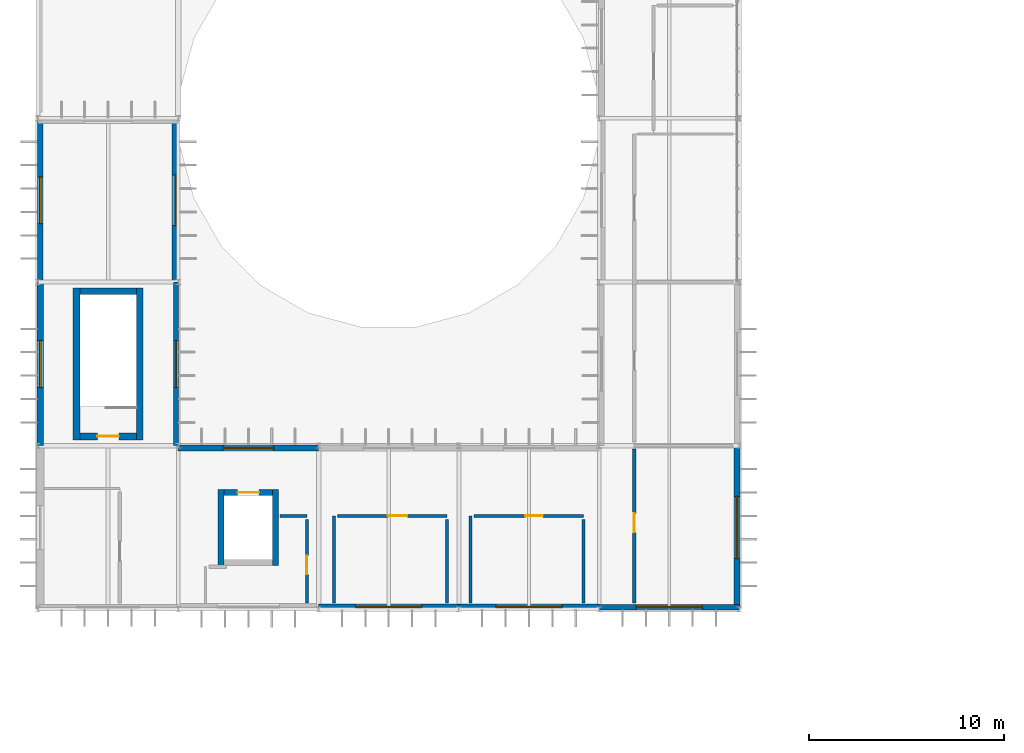
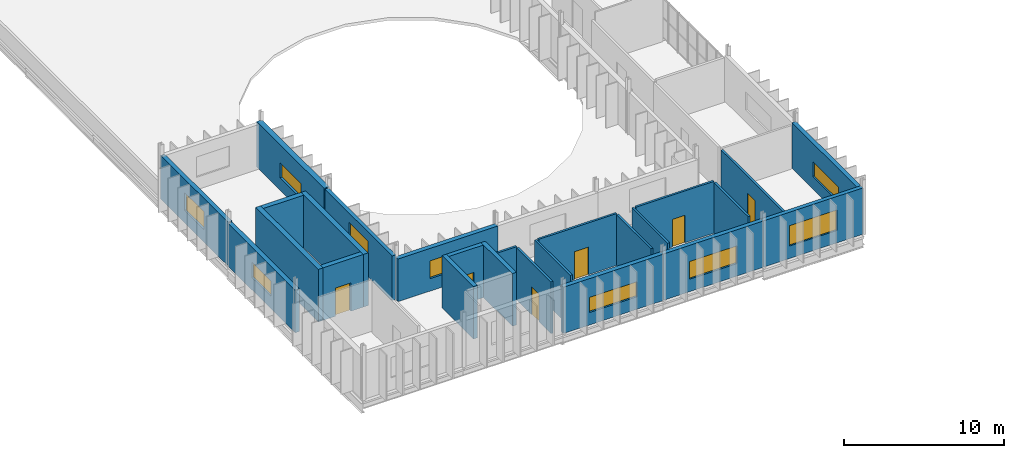
# One storey, part 15 of 18: 25 walls, 9 windows, 6 doors, 15 openings.
"""IFC4 building model written with IfcOpenShell, lengths in metres."""

from ifc_helpers import new_model, si_unit, direction, frame, frame_2d, origin, place, context, subcontext, project, spatial, rectangle, extrude, material, layer, layer_set, type_object, element, fill, save


model = new_model("IFC4")

# Units and contexts
model_context = context("Model", 3, precision=1e-05, world=origin(), true_north=direction((0.0, 1.0)))
body_context = subcontext(model_context, "Body", "Model", "MODEL_VIEW")
ifc_project = project(units=[si_unit("LENGTHUNIT", "METRE"), si_unit("AREAUNIT", "SQUARE_METRE"), si_unit("VOLUMEUNIT", "CUBIC_METRE"), si_unit("PLANEANGLEUNIT", "RADIAN"), si_unit("MASSUNIT", "GRAM", prefix="KILO")], contexts=[model_context])

# Site, building, storey
site_placement = place(None, origin())
site = spatial("IfcSite", under=ifc_project, at=site_placement, CompositionType="ELEMENT")
building_placement = place(site_placement, origin())
building = spatial("IfcBuilding", under=site, at=building_placement, Name="Qelthora Terrace Specialist Clinic", CompositionType="ELEMENT")
storey_placement = place(building_placement, frame((0.0, 0.0, 21.60009765625)))
storey = spatial("IfcBuildingStorey", under=building, at=storey_placement, Name="L05", CompositionType="ELEMENT", Elevation=21.60009765625)

# Walls
ifc_material_1 = material(Name="Concrete C40/50", Category="concrete")
ifc_layer_1 = layer(ifc_material_1, 0.300048828125)
ifc_layer_set_1 = layer_set([ifc_layer_1], Name="Concrete C40/50")
wall_type_1 = type_object("IfcWallType", Name="WAL-CORE-300-C40", PredefinedType="SHEAR", material=ifc_layer_set_1)
for number, where, z_axis, x_axis, name in (
    (1, (16.60009765625, 61.050048828125, 0.0), (0.0, 0.0, 1.0), (0.0, 1.0, 0.0), "Lift SL-01 L05 west shaft wall"),
    (2, (19.39990234375, 61.050048828125, 0.0), (0.0, 0.0, 1.0), (0.0, 1.0, 0.0), "Lift SL-01 L05 east shaft wall"),
):
    element("IfcWall", number, at=place(storey_placement, frame(where, z_axis=z_axis, x_axis=x_axis)), inside=storey, type_object=wall_type_1, Name=name, PredefinedType="SHEAR", context=body_context, shape_type="SweptSolid", body=[
        extrude(rectangle(XDim=3.89990234375, YDim=0.300048828125, at=frame_2d((1.949951171875, 0.0))), origin(), (0.0, 0.0, 1.0), 4.0),
    ])

# Wall, opening, door
wall_1_placement = place(storey_placement, frame((16.75, 64.800048828125, 0.0), z_axis=(0.0, 0.0, 1.0), x_axis=(1.0, 0.0, 0.0)))
wall_1 = element("IfcWall", 3, at=wall_1_placement, inside=storey, type_object=wall_type_1, Name="Lift SL-01 L05 north shaft wall", PredefinedType="SHEAR", context=body_context, shape_type="SweptSolid", body=[
    extrude(rectangle(XDim=2.5, YDim=0.300048828125, at=frame_2d((1.25, 0.0))), origin(), (0.0, 0.0, 1.0), 4.0),
])
opening_1_placement = place(wall_1_placement, frame((0.699951171875, 0.0, 0.0)))
opening_1 = element("IfcOpeningElement", 4, at=opening_1_placement, cuts=wall_1, Name="Opening LD-SL-01-L05", PredefinedType="OPENING", context=body_context, shape_type="SweptSolid", body=[
    extrude(rectangle(XDim=1.10009765625, YDim=2.14990234375, at=frame_2d((0.550048828125, 1.074951171875))), frame((0.0, 0.159912109375, 0.0), z_axis=(0.0, -1.0, 0.0), x_axis=(1.0, 0.0, 0.0)), (0.0, 0.0, 1.0), 0.320068359375),
])
ifc_material_2 = material(Name="Steel S355", Category="steel")
door_type_1 = type_object("IfcDoorType", Name="DOR-LIFT-1100X2150", OperationType="NOTDEFINED", PredefinedType="DOOR", material=ifc_material_2)
door_1_placement = place(opening_1_placement, origin())
door_1 = element("IfcDoor", 5, at=door_1_placement, inside=storey, type_object=door_type_1, Name="Lift landing sliding door LD-SL-01-L05", OperationType="DOUBLE_DOOR_SLIDING", OverallHeight=2.14990234375, OverallWidth=1.10009765625, PredefinedType="DOOR", context=body_context, shape_type="SweptSolid", body=[
    extrude(rectangle(XDim=1.10009765625, YDim=2.14990234375, at=frame_2d((0.550048828125, 1.074951171875))), frame((0.0, 0.02490234375, 0.0), z_axis=(0.0, -1.0, 0.0), x_axis=(1.0, 0.0, 0.0)), (0.0, 0.0, 1.0), 0.050048828125),
])
fill(opening_1, door_1)

# Walls
ifc_layer_2 = layer(ifc_material_1, 0.35009765625)
ifc_layer_set_2 = layer_set([ifc_layer_2], Name="Concrete C40/50")
wall_type_2 = type_object("IfcWallType", Name="WAL-CORE-350-C40", PredefinedType="SHEAR", material=ifc_layer_set_2)
for number, where, z_axis, x_axis, name in (
    (6, (9.175048828125, 67.5, 0.0), (0.0, 0.0, 1.0), (0.0, 1.0, 0.0), "ST-01 L05 west shear core wall"),
    (7, (12.425048828125, 67.5, 0.0), (0.0, 0.0, 1.0), (0.0, 1.0, 0.0), "ST-01 L05 east shear core wall"),
):
    element("IfcWall", number, at=place(storey_placement, frame(where, z_axis=z_axis, x_axis=x_axis)), inside=storey, type_object=wall_type_2, Name=name, PredefinedType="SHEAR", context=body_context, shape_type="SweptSolid", body=[
        extrude(rectangle(XDim=7.800048828125, YDim=0.35009765625, at=frame_2d((3.89990234375, 0.0))), origin(), (0.0, 0.0, 1.0), 4.0),
    ])
wall_2_placement = place(storey_placement, frame((9.35009765625, 75.125, 0.0), z_axis=(0.0, 0.0, 1.0), x_axis=(1.0, 0.0, 0.0)))
element("IfcWall", 8, at=wall_2_placement, inside=storey, type_object=wall_type_2, Name="ST-01 L05 north shear core wall", PredefinedType="SHEAR", context=body_context, shape_type="SweptSolid", body=[
    extrude(rectangle(XDim=2.89990234375, YDim=0.35009765625, at=frame_2d((1.449951171875, 0.0))), origin(), (0.0, 0.0, 1.0), 4.0),
])

# Wall, opening, door
wall_3_placement = place(storey_placement, frame((9.35009765625, 67.675048828125, 0.0), z_axis=(0.0, 0.0, 1.0), x_axis=(1.0, 0.0, 0.0)))
wall_3 = element("IfcWall", 9, at=wall_3_placement, inside=storey, type_object=wall_type_2, Name="ST-01 L05 south shear core wall", PredefinedType="SHEAR", context=body_context, shape_type="SweptSolid", body=[
    extrude(rectangle(XDim=2.89990234375, YDim=0.35009765625, at=frame_2d((1.449951171875, 0.0))), origin(), (0.0, 0.0, 1.0), 4.0),
])
opening_2_placement = place(wall_3_placement, frame((0.89990234375, 0.0, 0.0)))
opening_2 = element("IfcOpeningElement", 10, at=opening_2_placement, cuts=wall_3, Name="Opening D-ST-01-L05", PredefinedType="OPENING", context=body_context, shape_type="SweptSolid", body=[
    extrude(rectangle(XDim=1.10009765625, YDim=2.14990234375, at=frame_2d((0.550048828125, 1.074951171875))), frame((0.0, 0.18505859375, 0.0), z_axis=(0.0, -1.0, 0.0), x_axis=(1.0, 0.0, 0.0)), (0.0, 0.0, 1.0), 0.3701171875),
])
door_type_2 = type_object("IfcDoorType", Name="DOR-STAIR-1100X2150", OperationType="NOTDEFINED", PredefinedType="DOOR", material=ifc_material_2)
door_2_placement = place(opening_2_placement, origin())
door_2 = element("IfcDoor", 11, at=door_2_placement, inside=storey, type_object=door_type_2, Name="Stair fire door D-ST-01-L05", OperationType="SINGLE_SWING_RIGHT", OverallHeight=2.14990234375, OverallWidth=1.10009765625, PredefinedType="DOOR", context=body_context, shape_type="SweptSolid", body=[
    extrude(rectangle(XDim=1.10009765625, YDim=2.14990234375, at=frame_2d((0.550048828125, 1.074951171875))), frame((0.0, 0.02490234375, 0.0), z_axis=(0.0, -1.0, 0.0), x_axis=(1.0, 0.0, 0.0)), (0.0, 0.0, 1.0), 0.050048828125),
])
fill(opening_2, door_2)

# Wall, opening, window
ifc_material_3 = material(Name="Precast concrete C40/50", Category="concrete")
ifc_layer_3 = layer(ifc_material_3, 0.260009765625)
ifc_layer_set_3 = layer_set([ifc_layer_3], Name="Precast concrete C40/50")
wall_type_3 = type_object("IfcWallType", Name="WAL-EXT-260-PC40", PredefinedType="SOLIDWALL", material=ifc_layer_set_3)
wall_4_placement = place(storey_placement, frame((14.280029296875, 67.199951171875, 0.0), z_axis=(0.0, 0.0, 1.0), x_axis=(0.0, 1.0, 0.0)))
wall_4 = element("IfcWall", 12, at=wall_4_placement, inside=storey, type_object=wall_type_3, Name="L05 external precast wall 404", PredefinedType="SOLIDWALL", context=body_context, shape_type="SweptSolid", body=[
    extrude(rectangle(XDim=8.400146484375, YDim=0.260009765625, at=frame_2d((4.2001953125, 0.0))), origin(), (0.0, 0.0, 1.0), 3.40478515625),
])
opening_3_placement = place(wall_4_placement, frame((3.0, 0.0, 0.949951171875)))
opening_3 = element("IfcOpeningElement", 13, at=opening_3_placement, cuts=wall_4, Name="Opening WN-L05-360", PredefinedType="OPENING", context=body_context, shape_type="SweptSolid", body=[
    extrude(rectangle(XDim=2.39990234375, YDim=1.75, at=frame_2d((1.199951171875, 0.875))), frame((0.0, 0.139892578125, 0.0), z_axis=(0.0, -1.0, 0.0), x_axis=(1.0, 0.0, 0.0)), (0.0, 0.0, 1.0), 0.280029296875),
])
ifc_material_4 = material(Name="Low-E triple-silver insulating glass", Category="glass")
window_type_1 = type_object("IfcWindowType", Name="WIN-2400X1750", PartitioningType="DOUBLE_PANEL_VERTICAL", PredefinedType="WINDOW", material=ifc_material_4)
window_1_placement = place(opening_3_placement, origin())
window_1 = element("IfcWindow", 14, at=window_1_placement, inside=storey, type_object=window_type_1, Name="Clinical window WN-L05-360", OverallHeight=1.75, OverallWidth=2.39990234375, PartitioningType="SINGLE_PANEL", PredefinedType="WINDOW", context=body_context, shape_type="SweptSolid", body=[
    extrude(rectangle(XDim=2.39990234375, YDim=1.75, at=frame_2d((1.199951171875, 0.875))), frame((0.0, 0.030029296875, 0.0), z_axis=(0.0, -1.0, 0.0), x_axis=(1.0, 0.0, 0.0)), (0.0, 0.0, 1.0), 0.06005859375),
])
fill(opening_3, window_1)

ifc_layer_4 = layer(ifc_material_3, 0.280029296875)
ifc_layer_set_4 = layer_set([ifc_layer_4], Name="Precast concrete C40/50")
wall_type_4 = type_object("IfcWallType", Name="WAL-EXT-280-PC40", PredefinedType="SOLIDWALL", material=ifc_layer_set_4)
wall_5_placement = place(storey_placement, frame((36.0, 58.919921875, 0.0), z_axis=(0.0, 0.0, 1.0), x_axis=(1.0, 0.0, 0.0)))
wall_5 = element("IfcWall", 15, at=wall_5_placement, inside=storey, type_object=wall_type_4, Name="L05 external precast wall 423", PredefinedType="SOLIDWALL", context=body_context, shape_type="SweptSolid", body=[
    extrude(rectangle(XDim=7.199951171875, YDim=0.280029296875, at=frame_2d((3.60009765625, 0.0))), origin(), (0.0, 0.0, 1.0), 3.52880859375),
])
opening_4_placement = place(wall_5_placement, frame((1.89990234375, 0.0, 0.949951171875)))
opening_4 = element("IfcOpeningElement", 16, at=opening_4_placement, cuts=wall_5, Name="Opening WN-L05-379", PredefinedType="OPENING", context=body_context, shape_type="SweptSolid", body=[
    extrude(rectangle(XDim=3.39990234375, YDim=1.550048828125, at=frame_2d((1.699951171875, 0.77490234375))), frame((0.0, 0.14990234375, 0.0), z_axis=(0.0, -1.0, 0.0), x_axis=(1.0, 0.0, 0.0)), (0.0, 0.0, 1.0), 0.300048828125),
])
window_type_2 = type_object("IfcWindowType", Name="WIN-3400X1550", PartitioningType="DOUBLE_PANEL_VERTICAL", PredefinedType="WINDOW", material=ifc_material_4)
window_2_placement = place(opening_4_placement, origin())
window_2 = element("IfcWindow", 17, at=window_2_placement, inside=storey, type_object=window_type_2, Name="Clinical window WN-L05-379", OverallHeight=1.550048828125, OverallWidth=3.39990234375, PartitioningType="SINGLE_PANEL", PredefinedType="WINDOW", context=body_context, shape_type="SweptSolid", body=[
    extrude(rectangle(XDim=3.39990234375, YDim=1.550048828125, at=frame_2d((1.699951171875, 0.77490234375))), frame((0.0, 0.030029296875, 0.0), z_axis=(0.0, -1.0, 0.0), x_axis=(1.0, 0.0, 0.0)), (0.0, 0.0, 1.0), 0.06005859375),
])
fill(opening_4, window_2)

ifc_layer_5 = layer(ifc_material_3, 0.300048828125)
ifc_layer_set_5 = layer_set([ifc_layer_5], Name="Precast concrete C40/50")
wall_type_5 = type_object("IfcWallType", Name="WAL-EXT-300-PC40", PredefinedType="SOLIDWALL", material=ifc_layer_set_5)
wall_6_placement = place(storey_placement, frame((7.320068359375, 75.60009765625, 0.0), z_axis=(0.0, 0.0, 1.0), x_axis=(0.0, 1.0, 0.0)))
wall_6 = element("IfcWall", 18, at=wall_6_placement, inside=storey, type_object=wall_type_5, Name="L05 external precast wall 402", PredefinedType="SOLIDWALL", context=body_context, shape_type="SweptSolid", body=[
    extrude(rectangle(XDim=8.39990234375, YDim=0.300048828125, at=frame_2d((4.199951171875, 0.0))), origin(), (0.0, 0.0, 1.0), 3.324951171875),
])
opening_5_placement = place(wall_6_placement, frame((3.0, 0.0, 0.949951171875)))
opening_5 = element("IfcOpeningElement", 19, at=opening_5_placement, cuts=wall_6, Name="Opening WN-L05-358", PredefinedType="OPENING", context=body_context, shape_type="SweptSolid", body=[
    extrude(rectangle(XDim=2.39990234375, YDim=1.35009765625, at=frame_2d((1.199951171875, 0.675048828125))), frame((0.0, 0.159912109375, 0.0), z_axis=(0.0, -1.0, 0.0), x_axis=(1.0, 0.0, 0.0)), (0.0, 0.0, 1.0), 0.320068359375),
])
window_type_3 = type_object("IfcWindowType", Name="WIN-2400X1350", PartitioningType="DOUBLE_PANEL_VERTICAL", PredefinedType="WINDOW", material=ifc_material_4)
window_3_placement = place(opening_5_placement, origin())
window_3 = element("IfcWindow", 20, at=window_3_placement, inside=storey, type_object=window_type_3, Name="Clinical window WN-L05-358", OverallHeight=1.35009765625, OverallWidth=2.39990234375, PartitioningType="SINGLE_PANEL", PredefinedType="WINDOW", context=body_context, shape_type="SweptSolid", body=[
    extrude(rectangle(XDim=2.39990234375, YDim=1.35009765625, at=frame_2d((1.199951171875, 0.675048828125))), frame((0.0, 0.030029296875, 0.0), z_axis=(0.0, -1.0, 0.0), x_axis=(1.0, 0.0, 0.0)), (0.0, 0.0, 1.0), 0.06005859375),
])
fill(opening_5, window_3)

wall_7_placement = place(storey_placement, frame((43.080078125, 58.800048828125, 0.0), z_axis=(0.0, 0.0, 1.0), x_axis=(0.0, 1.0, 0.0)))
wall_7 = element("IfcWall", 21, at=wall_7_placement, inside=storey, type_object=wall_type_5, Name="L05 external precast wall 417", PredefinedType="SOLIDWALL", context=body_context, shape_type="SweptSolid", body=[
    extrude(rectangle(XDim=8.39990234375, YDim=0.300048828125, at=frame_2d((4.199951171875, 0.0))), origin(), (0.0, 0.0, 1.0), 3.48193359375),
])
opening_6_placement = place(wall_7_placement, frame((2.60009765625, 0.0, 0.949951171875)))
opening_6 = element("IfcOpeningElement", 22, at=opening_6_placement, cuts=wall_7, Name="Opening WN-L05-373", PredefinedType="OPENING", context=body_context, shape_type="SweptSolid", body=[
    extrude(rectangle(XDim=3.199951171875, YDim=1.14990234375, at=frame_2d((1.60009765625, 0.574951171875))), frame((0.0, 0.159912109375, 0.0), z_axis=(0.0, -1.0, 0.0), x_axis=(1.0, 0.0, 0.0)), (0.0, 0.0, 1.0), 0.320068359375),
])
window_type_4 = type_object("IfcWindowType", Name="WIN-3200X1150", PartitioningType="DOUBLE_PANEL_VERTICAL", PredefinedType="WINDOW", material=ifc_material_4)
window_4_placement = place(opening_6_placement, origin())
window_4 = element("IfcWindow", 23, at=window_4_placement, inside=storey, type_object=window_type_4, Name="Clinical window WN-L05-373", OverallHeight=1.14990234375, OverallWidth=3.199951171875, PartitioningType="SINGLE_PANEL", PredefinedType="WINDOW", context=body_context, shape_type="SweptSolid", body=[
    extrude(rectangle(XDim=3.199951171875, YDim=1.14990234375, at=frame_2d((1.60009765625, 0.574951171875))), frame((0.0, 0.030029296875, 0.0), z_axis=(0.0, -1.0, 0.0), x_axis=(1.0, 0.0, 0.0)), (0.0, 0.0, 1.0), 0.06005859375),
])
fill(opening_6, window_4)

wall_8_placement = place(storey_placement, frame((28.800048828125, 58.919921875, 0.0), z_axis=(0.0, 0.0, 1.0), x_axis=(1.0, 0.0, 0.0)))
wall_8 = element("IfcWall", 24, at=wall_8_placement, inside=storey, type_object=wall_type_5, Name="L05 external precast wall 422", PredefinedType="SOLIDWALL", context=body_context, shape_type="SweptSolid", body=[
    extrude(rectangle(XDim=7.199951171875, YDim=0.300048828125, at=frame_2d((3.60009765625, 0.0))), origin(), (0.0, 0.0, 1.0), 3.52880859375),
])
opening_7_placement = place(wall_8_placement, frame((1.89990234375, 0.0, 0.949951171875)))
opening_7 = element("IfcOpeningElement", 25, at=opening_7_placement, cuts=wall_8, Name="Opening WN-L05-378", PredefinedType="OPENING", context=body_context, shape_type="SweptSolid", body=[
    extrude(rectangle(XDim=3.39990234375, YDim=1.35009765625, at=frame_2d((1.699951171875, 0.675048828125))), frame((0.0, 0.159912109375, 0.0), z_axis=(0.0, -1.0, 0.0), x_axis=(1.0, 0.0, 0.0)), (0.0, 0.0, 1.0), 0.320068359375),
])
window_type_5 = type_object("IfcWindowType", Name="WIN-3400X1350", PartitioningType="DOUBLE_PANEL_VERTICAL", PredefinedType="WINDOW", material=ifc_material_4)
window_5_placement = place(opening_7_placement, origin())
window_5 = element("IfcWindow", 26, at=window_5_placement, inside=storey, type_object=window_type_5, Name="Clinical window WN-L05-378", OverallHeight=1.35009765625, OverallWidth=3.39990234375, PartitioningType="SINGLE_PANEL", PredefinedType="WINDOW", context=body_context, shape_type="SweptSolid", body=[
    extrude(rectangle(XDim=3.39990234375, YDim=1.35009765625, at=frame_2d((1.699951171875, 0.675048828125))), frame((0.0, 0.030029296875, 0.0), z_axis=(0.0, -1.0, 0.0), x_axis=(1.0, 0.0, 0.0)), (0.0, 0.0, 1.0), 0.06005859375),
])
fill(opening_7, window_5)

ifc_layer_6 = layer(ifc_material_3, 0.320068359375)
ifc_layer_set_6 = layer_set([ifc_layer_6], Name="Precast concrete C40/50")
wall_type_6 = type_object("IfcWallType", Name="WAL-EXT-320-PC40", PredefinedType="SOLIDWALL", material=ifc_layer_set_6)
wall_9_placement = place(storey_placement, frame((7.320068359375, 67.199951171875, 0.0), z_axis=(0.0, 0.0, 1.0), x_axis=(0.0, 1.0, 0.0)))
wall_9 = element("IfcWall", 27, at=wall_9_placement, inside=storey, type_object=wall_type_6, Name="L05 external precast wall 401", PredefinedType="SOLIDWALL", context=body_context, shape_type="SweptSolid", body=[
    extrude(rectangle(XDim=8.400146484375, YDim=0.320068359375, at=frame_2d((4.2001953125, 0.0))), origin(), (0.0, 0.0, 1.0), 3.2490234375),
])
opening_8_placement = place(wall_9_placement, frame((3.0, 0.0, 0.949951171875)))
opening_8 = element("IfcOpeningElement", 28, at=opening_8_placement, cuts=wall_9, Name="Opening WN-L05-357", PredefinedType="OPENING", context=body_context, shape_type="SweptSolid", body=[
    extrude(rectangle(XDim=2.39990234375, YDim=1.14990234375, at=frame_2d((1.199951171875, 0.574951171875))), frame((0.0, 0.169921875, 0.0), z_axis=(0.0, -1.0, 0.0), x_axis=(1.0, 0.0, 0.0)), (0.0, 0.0, 1.0), 0.340087890625),
])
window_type_6 = type_object("IfcWindowType", Name="WIN-2400X1150", PartitioningType="DOUBLE_PANEL_VERTICAL", PredefinedType="WINDOW", material=ifc_material_4)
window_6_placement = place(opening_8_placement, origin())
window_6 = element("IfcWindow", 29, at=window_6_placement, inside=storey, type_object=window_type_6, Name="Clinical window WN-L05-357", OverallHeight=1.14990234375, OverallWidth=2.39990234375, PartitioningType="SINGLE_PANEL", PredefinedType="WINDOW", context=body_context, shape_type="SweptSolid", body=[
    extrude(rectangle(XDim=2.39990234375, YDim=1.14990234375, at=frame_2d((1.199951171875, 0.574951171875))), frame((0.0, 0.030029296875, 0.0), z_axis=(0.0, -1.0, 0.0), x_axis=(1.0, 0.0, 0.0)), (0.0, 0.0, 1.0), 0.06005859375),
])
fill(opening_8, window_6)

wall_10_placement = place(storey_placement, frame((14.39990234375, 67.080078125, 0.0), z_axis=(0.0, 0.0, 1.0), x_axis=(1.0, 0.0, 0.0)))
wall_10 = element("IfcWall", 30, at=wall_10_placement, inside=storey, type_object=wall_type_6, Name="L05 external precast wall 406", PredefinedType="SOLIDWALL", context=body_context, shape_type="SweptSolid", body=[
    extrude(rectangle(XDim=7.2001953125, YDim=0.320068359375, at=frame_2d((3.60009765625, 0.0))), origin(), (0.0, 0.0, 1.0), 3.2490234375),
])
opening_9_placement = place(wall_10_placement, frame((2.300048828125, 0.0, 0.949951171875)))
opening_9 = element("IfcOpeningElement", 31, at=opening_9_placement, cuts=wall_10, Name="Opening WN-L05-362", PredefinedType="OPENING", context=body_context, shape_type="SweptSolid", body=[
    extrude(rectangle(XDim=2.60009765625, YDim=1.35009765625, at=frame_2d((1.300048828125, 0.675048828125))), frame((0.0, 0.169921875, 0.0), z_axis=(0.0, -1.0, 0.0), x_axis=(1.0, 0.0, 0.0)), (0.0, 0.0, 1.0), 0.340087890625),
])
window_type_7 = type_object("IfcWindowType", Name="WIN-2600X1350", PartitioningType="DOUBLE_PANEL_VERTICAL", PredefinedType="WINDOW", material=ifc_material_4)
window_7_placement = place(opening_9_placement, origin())
window_7 = element("IfcWindow", 32, at=window_7_placement, inside=storey, type_object=window_type_7, Name="Clinical window WN-L05-362", OverallHeight=1.35009765625, OverallWidth=2.60009765625, PartitioningType="SINGLE_PANEL", PredefinedType="WINDOW", context=body_context, shape_type="SweptSolid", body=[
    extrude(rectangle(XDim=2.60009765625, YDim=1.35009765625, at=frame_2d((1.300048828125, 0.675048828125))), frame((0.0, 0.030029296875, 0.0), z_axis=(0.0, -1.0, 0.0), x_axis=(1.0, 0.0, 0.0)), (0.0, 0.0, 1.0), 0.06005859375),
])
fill(opening_9, window_7)

wall_11_placement = place(storey_placement, frame((21.60009765625, 58.919921875, 0.0), z_axis=(0.0, 0.0, 1.0), x_axis=(1.0, 0.0, 0.0)))
wall_11 = element("IfcWall", 33, at=wall_11_placement, inside=storey, type_object=wall_type_6, Name="L05 external precast wall 421", PredefinedType="SOLIDWALL", context=body_context, shape_type="SweptSolid", body=[
    extrude(rectangle(XDim=7.199951171875, YDim=0.320068359375, at=frame_2d((3.60009765625, 0.0))), origin(), (0.0, 0.0, 1.0), 3.52880859375),
])
opening_10_placement = place(wall_11_placement, frame((1.89990234375, 0.0, 0.949951171875)))
opening_10 = element("IfcOpeningElement", 34, at=opening_10_placement, cuts=wall_11, Name="Opening WN-L05-377", PredefinedType="OPENING", context=body_context, shape_type="SweptSolid", body=[
    extrude(rectangle(XDim=3.39990234375, YDim=1.14990234375, at=frame_2d((1.699951171875, 0.574951171875))), frame((0.0, 0.169921875, 0.0), z_axis=(0.0, -1.0, 0.0), x_axis=(1.0, 0.0, 0.0)), (0.0, 0.0, 1.0), 0.340087890625),
])
window_type_8 = type_object("IfcWindowType", Name="WIN-3400X1150", PartitioningType="DOUBLE_PANEL_VERTICAL", PredefinedType="WINDOW", material=ifc_material_4)
window_8_placement = place(opening_10_placement, origin())
window_8 = element("IfcWindow", 35, at=window_8_placement, inside=storey, type_object=window_type_8, Name="Clinical window WN-L05-377", OverallHeight=1.14990234375, OverallWidth=3.39990234375, PartitioningType="SINGLE_PANEL", PredefinedType="WINDOW", context=body_context, shape_type="SweptSolid", body=[
    extrude(rectangle(XDim=3.39990234375, YDim=1.14990234375, at=frame_2d((1.699951171875, 0.574951171875))), frame((0.0, 0.030029296875, 0.0), z_axis=(0.0, -1.0, 0.0), x_axis=(1.0, 0.0, 0.0)), (0.0, 0.0, 1.0), 0.06005859375),
])
fill(opening_10, window_8)

ifc_layer_7 = layer(ifc_material_3, 0.3798828125)
ifc_layer_set_7 = layer_set([ifc_layer_7], Name="Precast concrete C40/50")
wall_type_7 = type_object("IfcWallType", Name="WAL-EXT-380-PC40", PredefinedType="SOLIDWALL", material=ifc_layer_set_7)
wall_12_placement = place(storey_placement, frame((14.280029296875, 75.60009765625, 0.0), z_axis=(0.0, 0.0, 1.0), x_axis=(0.0, 1.0, 0.0)))
wall_12 = element("IfcWall", 36, at=wall_12_placement, inside=storey, type_object=wall_type_7, Name="L05 external precast wall 405", PredefinedType="SOLIDWALL", context=body_context, shape_type="SweptSolid", body=[
    extrude(rectangle(XDim=8.39990234375, YDim=0.3798828125, at=frame_2d((4.199951171875, 0.0))), origin(), (0.0, 0.0, 1.0), 3.475830078125),
])
opening_11_placement = place(wall_12_placement, frame((2.89990234375, 0.0, 0.949951171875)))
opening_11 = element("IfcOpeningElement", 37, at=opening_11_placement, cuts=wall_12, Name="Opening WN-L05-361", PredefinedType="OPENING", context=body_context, shape_type="SweptSolid", body=[
    extrude(rectangle(XDim=2.60009765625, YDim=1.14990234375, at=frame_2d((1.300048828125, 0.574951171875))), frame((0.0, 0.199951171875, 0.0), z_axis=(0.0, -1.0, 0.0), x_axis=(1.0, 0.0, 0.0)), (0.0, 0.0, 1.0), 0.39990234375),
])
window_type_9 = type_object("IfcWindowType", Name="WIN-2600X1150", PartitioningType="DOUBLE_PANEL_VERTICAL", PredefinedType="WINDOW", material=ifc_material_4)
window_9_placement = place(opening_11_placement, origin())
window_9 = element("IfcWindow", 38, at=window_9_placement, inside=storey, type_object=window_type_9, Name="Clinical window WN-L05-361", OverallHeight=1.14990234375, OverallWidth=2.60009765625, PartitioningType="SINGLE_PANEL", PredefinedType="WINDOW", context=body_context, shape_type="SweptSolid", body=[
    extrude(rectangle(XDim=2.60009765625, YDim=1.14990234375, at=frame_2d((1.300048828125, 0.574951171875))), frame((0.0, 0.030029296875, 0.0), z_axis=(0.0, -1.0, 0.0), x_axis=(1.0, 0.0, 0.0)), (0.0, 0.0, 1.0), 0.06005859375),
])
fill(opening_11, window_9)

# Wall, opening, door
ifc_material_5 = material(Name="Gypsum fire-rated wallboard", Category="gypsum")
ifc_layer_8 = layer(ifc_material_5, 0.159912109375)
ifc_layer_set_8 = layer_set([ifc_layer_8], Name="Gypsum fire-rated wallboard")
wall_type_8 = type_object("IfcWallType", Name="WAL-INT-COR-160", PredefinedType="PARTITIONING", material=ifc_layer_set_8)
wall_13_placement = place(storey_placement, frame((21.0, 63.419921875, 0.0), z_axis=(0.0, 0.0, 1.0), x_axis=(0.0, -1.0, 0.0)))
wall_13 = element("IfcWall", 39, at=wall_13_placement, inside=storey, type_object=wall_type_8, Name="Interior clinical partition IWAL-L05-0396", PredefinedType="PARTITIONING", context=body_context, shape_type="SweptSolid", body=[
    extrude(rectangle(XDim=4.280029296875, YDim=0.159912109375, at=frame_2d((2.14013671875, 0.0))), origin(), (0.0, 0.0, 1.0), 3.94482421875),
])
opening_12_placement = place(wall_13_placement, frame((1.860107421875, 0.0, 0.0)))
opening_12 = element("IfcOpeningElement", 40, at=opening_12_placement, cuts=wall_13, Name="Opening DI-L05-0159", PredefinedType="OPENING", context=body_context, shape_type="SweptSolid", body=[
    extrude(rectangle(XDim=0.9599609375, YDim=2.10009765625, at=frame_2d((0.47998046875, 1.050048828125))), frame((0.0, 0.08984375, 0.0), z_axis=(0.0, -1.0, 0.0), x_axis=(1.0, 0.0, 0.0)), (0.0, 0.0, 1.0), 0.179931640625),
])
ifc_material_6 = material(Name="Glulam timber GL28h", Category="wood")
door_type_3 = type_object("IfcDoorType", Name="DOR-CON-960X2100", OperationType="NOTDEFINED", PredefinedType="DOOR", material=ifc_material_6)
door_3_placement = place(opening_12_placement, frame((0.9599609375, 0.0, 0.0), z_axis=(0.0, 0.0, 1.0), x_axis=(-1.0, 0.0, 0.0)))
door_3 = element("IfcDoor", 41, at=door_3_placement, inside=storey, type_object=door_type_3, Name="Interior clinical door DI-L05-0159", OperationType="SINGLE_SWING_RIGHT", OverallHeight=2.10009765625, OverallWidth=0.9599609375, PredefinedType="DOOR", context=body_context, shape_type="SweptSolid", body=[
    extrude(rectangle(XDim=0.9599609375, YDim=2.10009765625, at=frame_2d((0.47998046875, 1.050048828125))), frame((0.0, 0.02490234375, 0.0), z_axis=(0.0, -1.0, 0.0), x_axis=(1.0, 0.0, 0.0)), (0.0, 0.0, 1.0), 0.050048828125),
])
fill(opening_12, door_3)

wall_14_placement = place(storey_placement, frame((37.800048828125, 59.139892578125, 0.0), z_axis=(0.0, 0.0, 1.0), x_axis=(0.0, 1.0, 0.0)))
wall_14 = element("IfcWall", 42, at=wall_14_placement, inside=storey, type_object=wall_type_8, Name="Interior clinical partition IWAL-L05-0406", PredefinedType="PARTITIONING", context=body_context, shape_type="SweptSolid", body=[
    extrude(rectangle(XDim=7.880126953125, YDim=0.159912109375, at=frame_2d((3.93994140625, 0.0))), origin(), (0.0, 0.0, 1.0), 3.327880859375),
])
opening_13_placement = place(wall_14_placement, frame((3.610107421875, 0.0, 0.0)))
opening_13 = element("IfcOpeningElement", 43, at=opening_13_placement, cuts=wall_14, Name="Opening DI-L05-0162", PredefinedType="OPENING", context=body_context, shape_type="SweptSolid", body=[
    extrude(rectangle(XDim=0.97998046875, YDim=2.050048828125, at=frame_2d((0.489990234375, 1.02490234375))), frame((0.0, 0.08984375, 0.0), z_axis=(0.0, -1.0, 0.0), x_axis=(1.0, 0.0, 0.0)), (0.0, 0.0, 1.0), 0.179931640625),
])
door_type_4 = type_object("IfcDoorType", Name="DOR-CON-980X2050", OperationType="NOTDEFINED", PredefinedType="DOOR", material=ifc_material_6)
door_4_placement = place(opening_13_placement, frame((0.97998046875, 0.0, 0.0), z_axis=(0.0, 0.0, 1.0), x_axis=(-1.0, 0.0, 0.0)))
door_4 = element("IfcDoor", 44, at=door_4_placement, inside=storey, type_object=door_type_4, Name="Interior clinical door DI-L05-0162", OperationType="SINGLE_SWING_LEFT", OverallHeight=2.050048828125, OverallWidth=0.97998046875, PredefinedType="DOOR", context=body_context, shape_type="SweptSolid", body=[
    extrude(rectangle(XDim=0.97998046875, YDim=2.050048828125, at=frame_2d((0.489990234375, 1.02490234375))), frame((0.0, 0.02490234375, 0.0), z_axis=(0.0, -1.0, 0.0), x_axis=(1.0, 0.0, 0.0)), (0.0, 0.0, 1.0), 0.050048828125),
])
fill(opening_13, door_4)

# Walls
ifc_material_7 = material(Name="Gypsum moisture-resistant", Category="gypsum")
ifc_layer_9 = layer(ifc_material_7, 0.14990234375)
ifc_layer_set_9 = layer_set([ifc_layer_9], Name="Gypsum moisture-resistant")
wall_type_9 = type_object("IfcWallType", Name="WAL-INT-WET-150", PredefinedType="PLUMBINGWALL", material=ifc_layer_set_9)
wall_15_placement = place(storey_placement, frame((19.6201171875, 63.60009765625, 0.0), z_axis=(0.0, 0.0, 1.0), x_axis=(1.0, 0.0, 0.0)))
element("IfcWall", 45, at=wall_15_placement, inside=storey, type_object=wall_type_9, Name="Interior clinical partition IWAL-L05-0395", PredefinedType="PLUMBINGWALL", context=body_context, shape_type="SweptSolid", body=[
    extrude(rectangle(XDim=1.3798828125, YDim=0.14990234375, at=frame_2d((0.68994140625, 0.0))), origin(), (0.0, 0.0, 1.0), 3.94482421875),
])
wall_16_placement = place(storey_placement, frame((22.39990234375, 59.139892578125, 0.0), z_axis=(0.0, 0.0, 1.0), x_axis=(0.0, 1.0, 0.0)))
element("IfcWall", 46, at=wall_16_placement, inside=storey, type_object=wall_type_9, Name="Interior clinical partition IWAL-L05-0399", PredefinedType="PLUMBINGWALL", context=body_context, shape_type="SweptSolid", body=[
    extrude(rectangle(XDim=4.460205078125, YDim=0.14990234375, at=frame_2d((2.22998046875, 0.0))), origin(), (0.0, 0.0, 1.0), 3.94482421875),
])

# Wall, opening, door
wall_17_placement = place(storey_placement, frame((22.580078125, 63.60009765625, 0.0), z_axis=(0.0, 0.0, 1.0), x_axis=(1.0, 0.0, 0.0)))
wall_17 = element("IfcWall", 47, at=wall_17_placement, inside=storey, type_object=wall_type_9, Name="Interior clinical partition IWAL-L05-0400", PredefinedType="PLUMBINGWALL", context=body_context, shape_type="SweptSolid", body=[
    extrude(rectangle(XDim=5.619873046875, YDim=0.14990234375, at=frame_2d((2.81005859375, 0.0))), origin(), (0.0, 0.0, 1.0), 3.94482421875),
])
opening_14_placement = place(wall_17_placement, frame((2.580078125, 0.0, 0.0)))
opening_14 = element("IfcOpeningElement", 48, at=opening_14_placement, cuts=wall_17, Name="Opening DI-L05-0160", PredefinedType="OPENING", context=body_context, shape_type="SweptSolid", body=[
    extrude(rectangle(XDim=1.0, YDim=2.10009765625, at=frame_2d((0.5, 1.050048828125))), frame((0.0, 0.0849609375, 0.0), z_axis=(0.0, -1.0, 0.0), x_axis=(1.0, 0.0, 0.0)), (0.0, 0.0, 1.0), 0.169921875),
])
door_type_5 = type_object("IfcDoorType", Name="DOR-AWC-1000X2100", OperationType="NOTDEFINED", PredefinedType="DOOR", material=ifc_material_6)
door_5_placement = place(opening_14_placement, frame((1.0, 0.0, 0.0), z_axis=(0.0, 0.0, 1.0), x_axis=(-1.0, 0.0, 0.0)))
door_5 = element("IfcDoor", 49, at=door_5_placement, inside=storey, type_object=door_type_5, Name="Interior clinical door DI-L05-0160", OperationType="SINGLE_SWING_LEFT", OverallHeight=2.10009765625, OverallWidth=1.0, PredefinedType="DOOR", context=body_context, shape_type="SweptSolid", body=[
    extrude(rectangle(XDim=1.0, YDim=2.10009765625, at=frame_2d((0.5, 1.050048828125))), frame((0.0, 0.02490234375, 0.0), z_axis=(0.0, -1.0, 0.0), x_axis=(1.0, 0.0, 0.0)), (0.0, 0.0, 1.0), 0.050048828125),
])
fill(opening_14, door_5)

# Walls
wall_18_placement = place(storey_placement, frame((28.199951171875, 63.419921875, 0.0), z_axis=(0.0, 0.0, 1.0), x_axis=(0.0, -1.0, 0.0)))
element("IfcWall", 50, at=wall_18_placement, inside=storey, type_object=wall_type_9, Name="Interior clinical partition IWAL-L05-0401", PredefinedType="PLUMBINGWALL", context=body_context, shape_type="SweptSolid", body=[
    extrude(rectangle(XDim=4.280029296875, YDim=0.14990234375, at=frame_2d((2.14013671875, 0.0))), origin(), (0.0, 0.0, 1.0), 3.94482421875),
])
wall_19_placement = place(storey_placement, frame((29.39990234375, 59.139892578125, 0.0), z_axis=(0.0, 0.0, 1.0), x_axis=(0.0, 1.0, 0.0)))
element("IfcWall", 51, at=wall_19_placement, inside=storey, type_object=wall_type_9, Name="Interior clinical partition IWAL-L05-0402", PredefinedType="PLUMBINGWALL", context=body_context, shape_type="SweptSolid", body=[
    extrude(rectangle(XDim=4.460205078125, YDim=0.14990234375, at=frame_2d((2.22998046875, 0.0))), origin(), (0.0, 0.0, 1.0), 3.94482421875),
])

# Wall, opening, door
wall_20_placement = place(storey_placement, frame((29.580078125, 63.60009765625, 0.0), z_axis=(0.0, 0.0, 1.0), x_axis=(1.0, 0.0, 0.0)))
wall_20 = element("IfcWall", 52, at=wall_20_placement, inside=storey, type_object=wall_type_9, Name="Interior clinical partition IWAL-L05-0403", PredefinedType="PLUMBINGWALL", context=body_context, shape_type="SweptSolid", body=[
    extrude(rectangle(XDim=5.619873046875, YDim=0.14990234375, at=frame_2d((2.81005859375, 0.0))), origin(), (0.0, 0.0, 1.0), 3.94482421875),
])
opening_15_placement = place(wall_20_placement, frame((2.6298828125, 0.0, 0.0)))
opening_15 = element("IfcOpeningElement", 53, at=opening_15_placement, cuts=wall_20, Name="Opening DI-L05-0161", PredefinedType="OPENING", context=body_context, shape_type="SweptSolid", body=[
    extrude(rectangle(XDim=0.89990234375, YDim=2.10009765625, at=frame_2d((0.449951171875, 1.050048828125))), frame((0.0, 0.0849609375, 0.0), z_axis=(0.0, -1.0, 0.0), x_axis=(1.0, 0.0, 0.0)), (0.0, 0.0, 1.0), 0.169921875),
])
door_type_6 = type_object("IfcDoorType", Name="DOR-WC-900X2100", OperationType="NOTDEFINED", PredefinedType="DOOR", material=ifc_material_6)
door_6_placement = place(opening_15_placement, frame((0.89990234375, 0.0, 0.0), z_axis=(0.0, 0.0, 1.0), x_axis=(-1.0, 0.0, 0.0)))
door_6 = element("IfcDoor", 54, at=door_6_placement, inside=storey, type_object=door_type_6, Name="Interior clinical door DI-L05-0161", OperationType="SINGLE_SWING_RIGHT", OverallHeight=2.10009765625, OverallWidth=0.89990234375, PredefinedType="DOOR", context=body_context, shape_type="SweptSolid", body=[
    extrude(rectangle(XDim=0.89990234375, YDim=2.10009765625, at=frame_2d((0.449951171875, 1.050048828125))), frame((0.0, 0.02490234375, 0.0), z_axis=(0.0, -1.0, 0.0), x_axis=(1.0, 0.0, 0.0)), (0.0, 0.0, 1.0), 0.050048828125),
])
fill(opening_15, door_6)

# Wall
wall_21_placement = place(storey_placement, frame((35.199951171875, 63.419921875, 0.0), z_axis=(0.0, 0.0, 1.0), x_axis=(0.0, -1.0, 0.0)))
element("IfcWall", 55, at=wall_21_placement, inside=storey, type_object=wall_type_9, Name="Interior clinical partition IWAL-L05-0404", PredefinedType="PLUMBINGWALL", context=body_context, shape_type="SweptSolid", body=[
    extrude(rectangle(XDim=4.280029296875, YDim=0.14990234375, at=frame_2d((2.14013671875, 0.0))), origin(), (0.0, 0.0, 1.0), 3.94482421875),
])

save(model, "model.ifc")
